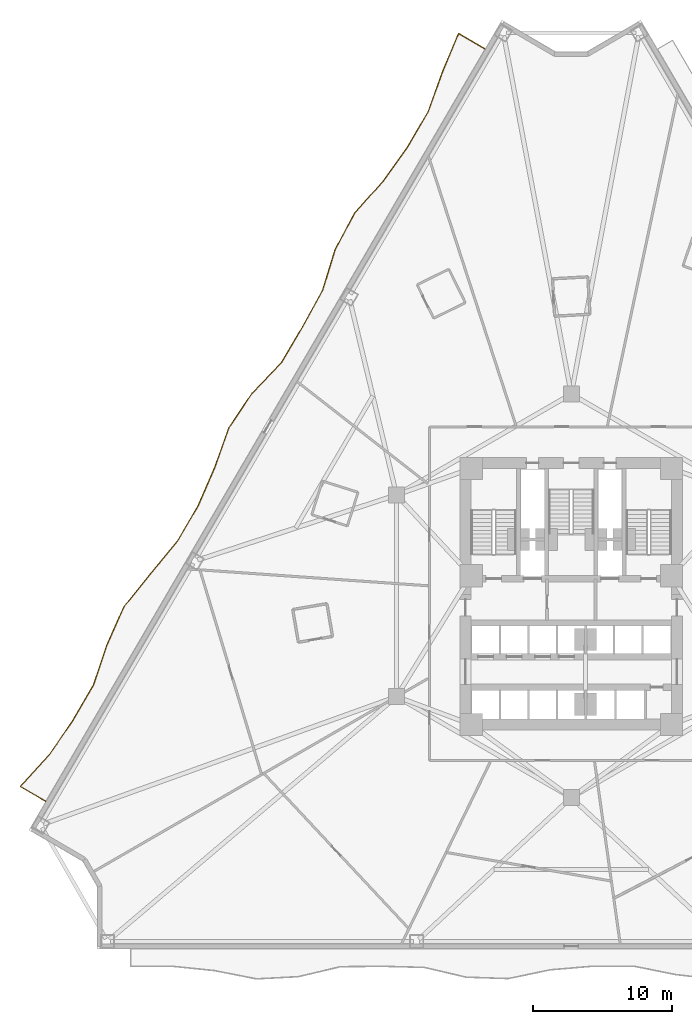
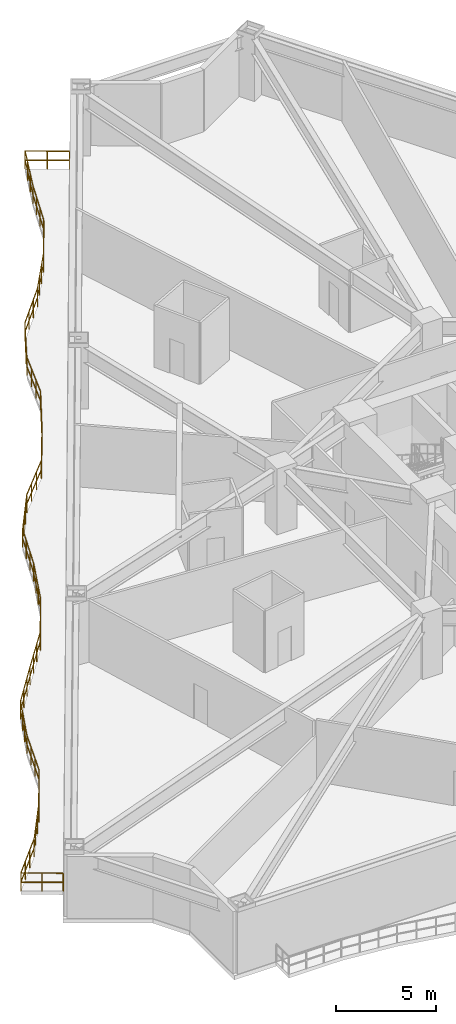
# One storey, part 10 of 12: 1 railing.
"""IFC4 building model written with IfcOpenShell, lengths in metres."""

from ifc_helpers import new_model, si_unit, direction, frame, origin, origin_2d, place, context, subcontext, project, spatial, rectangle, extrude, material, type_object, element, save


model = new_model("IFC4")

# Units and contexts
model_context = context("Model", 3, precision=1e-05, world=origin(), true_north=direction((0.0, 1.0)))
body_context = subcontext(model_context, "Body", "Model", "MODEL_VIEW")
ifc_project = project(units=[si_unit("LENGTHUNIT", "METRE"), si_unit("AREAUNIT", "SQUARE_METRE"), si_unit("VOLUMEUNIT", "CUBIC_METRE"), si_unit("PLANEANGLEUNIT", "RADIAN"), si_unit("MASSUNIT", "GRAM", prefix="KILO")], contexts=[model_context])

# Site, building, storey
site_placement = place(None, origin())
site = spatial("IfcSite", under=ifc_project, at=site_placement, CompositionType="ELEMENT")
building_placement = place(site_placement, origin())
building = spatial("IfcBuilding", under=site, at=building_placement, Name="Apsidion Concourse Tower", CompositionType="ELEMENT")
storey_placement = place(building_placement, frame((0.0, 0.0, 50.39990234375)))
storey = spatial("IfcBuildingStorey", under=building, at=storey_placement, Name="L10", CompositionType="ELEMENT", Elevation=50.39990234375)

# Railing
ifc_material = material(Name="Brushed stainless steel 316", Category="steel")
railing_type = type_object("IfcRailingType", Name="RL-BAL-1120", PredefinedType="BALUSTRADE", material=ifc_material)
railing_placement = place(storey_placement, frame((-37.789306640625, -14.772705078125, 0.0)))
element("IfcRailing", 1, at=railing_placement, inside=storey, type_object=railing_type, Name="L10 Face 1 Rippling Balcony Balustrade", PredefinedType="BALUSTRADE", context=body_context, shape_type="SweptSolid", body=[
    extrude(rectangle(XDim=0.048095703125, YDim=0.048095703125, at=origin_2d()), frame((0.0, 0.0, 1.09619140625), z_axis=(-0.863568954933, 0.50423076074, 0.0), x_axis=(-0.50423076074, -0.863568954933, 0.0)), (0.0, 0.0, 1.0), 2.109619140625),
    extrude(rectangle(XDim=0.048095703125, YDim=0.048095703125, at=origin_2d()), frame((0.0, 0.0, 0.5361328125), z_axis=(-0.863568954933, 0.50423076074, 0.0), x_axis=(-0.50423076074, -0.863568954933, 0.0)), (0.0, 0.0, 1.0), 2.109619140625),
    extrude(rectangle(XDim=0.048095703125, YDim=0.048095703125, at=origin_2d()), frame((-1.82177734375, 1.063720703125, 1.09619140625), z_axis=(0.675724628517, 0.737154140201, 0.0), x_axis=(-0.737154140201, 0.675724628517, 0.0)), (0.0, 0.0, 1.0), 3.05224609375),
    extrude(rectangle(XDim=0.048095703125, YDim=0.048095703125, at=origin_2d()), frame((-1.82177734375, 1.063720703125, 0.5361328125), z_axis=(0.675724628517, 0.737154140201, 0.0), x_axis=(-0.737154140201, 0.675724628517, 0.0)), (0.0, 0.0, 1.0), 3.05224609375),
    extrude(rectangle(XDim=0.048095703125, YDim=0.048095703125, at=origin_2d()), frame((0.24072265625, 3.313720703125, 1.09619140625), z_axis=(0.564458537501, 0.82546142214, 0.0), x_axis=(-0.82546142214, 0.564458537501, 0.0)), (0.0, 0.0, 1.0), 2.990478515625),
    extrude(rectangle(XDim=0.048095703125, YDim=0.048095703125, at=origin_2d()), frame((0.24072265625, 3.313720703125, 0.5361328125), z_axis=(0.564458537501, 0.82546142214, 0.0), x_axis=(-0.82546142214, 0.564458537501, 0.0)), (0.0, 0.0, 1.0), 2.990478515625),
    extrude(rectangle(XDim=0.048095703125, YDim=0.048095703125, at=origin_2d()), frame((1.9287109375, 5.7822265625, 1.09619140625), z_axis=(0.504191602526, 0.863591817899, 0.0), x_axis=(-0.863591817899, 0.504191602526, 0.0)), (0.0, 0.0, 1.0), 2.98291015625),
    extrude(rectangle(XDim=0.048095703125, YDim=0.048095703125, at=origin_2d()), frame((1.9287109375, 5.7822265625, 0.5361328125), z_axis=(0.504191602526, 0.863591817899, 0.0), x_axis=(-0.863591817899, 0.504191602526, 0.0)), (0.0, 0.0, 1.0), 2.98291015625),
    extrude(rectangle(XDim=0.048095703125, YDim=0.048095703125, at=origin_2d()), frame((3.4326171875, 8.358154296875, 1.09619140625), z_axis=(0.319280251734, 0.947660340445, 0.0), x_axis=(-0.947660340445, 0.319280251734, 0.0)), (0.0, 0.0, 1.0), 3.045654296875),
    extrude(rectangle(XDim=0.048095703125, YDim=0.048095703125, at=origin_2d()), frame((3.4326171875, 8.358154296875, 0.5361328125), z_axis=(0.319280251734, 0.947660340445, 0.0), x_axis=(-0.947660340445, 0.319280251734, 0.0)), (0.0, 0.0, 1.0), 3.045654296875),
    extrude(rectangle(XDim=0.048095703125, YDim=0.048095703125, at=origin_2d()), frame((4.405029296875, 11.244384765625, 1.09619140625), z_axis=(0.405979968033, 0.913881975726, 0.0), x_axis=(-0.913881975726, 0.405979968033, 0.0)), (0.0, 0.0, 1.0), 3.00146484375),
    extrude(rectangle(XDim=0.048095703125, YDim=0.048095703125, at=origin_2d()), frame((4.405029296875, 11.244384765625, 0.5361328125), z_axis=(0.405979968033, 0.913881975726, 0.0), x_axis=(-0.913881975726, 0.405979968033, 0.0)), (0.0, 0.0, 1.0), 3.00146484375),
    extrude(rectangle(XDim=0.048095703125, YDim=0.048095703125, at=origin_2d()), frame((5.62353515625, 13.9873046875, 1.09619140625), z_axis=(0.629693782108, 0.77684344676, 0.0), x_axis=(-0.77684344676, 0.629693782108, 0.0)), (0.0, 0.0, 1.0), 3.01806640625),
    extrude(rectangle(XDim=0.048095703125, YDim=0.048095703125, at=origin_2d()), frame((5.62353515625, 13.9873046875, 0.5361328125), z_axis=(0.629693782108, 0.77684344676, 0.0), x_axis=(-0.77684344676, 0.629693782108, 0.0)), (0.0, 0.0, 1.0), 3.01806640625),
    extrude(rectangle(XDim=0.048095703125, YDim=0.048095703125, at=origin_2d()), frame((7.52392578125, 16.331787109375, 1.09619140625), z_axis=(0.636833434302, 0.771001411772, 0.0), x_axis=(-0.771001411772, 0.636833434302, 0.0)), (0.0, 0.0, 1.0), 3.0224609375),
    extrude(rectangle(XDim=0.048095703125, YDim=0.048095703125, at=origin_2d()), frame((7.52392578125, 16.331787109375, 0.5361328125), z_axis=(0.636833434302, 0.771001411772, 0.0), x_axis=(-0.771001411772, 0.636833434302, 0.0)), (0.0, 0.0, 1.0), 3.0224609375),
    extrude(rectangle(XDim=0.048095703125, YDim=0.048095703125, at=origin_2d()), frame((9.44873046875, 18.662109375, 1.09619140625), z_axis=(0.504191602526, 0.863591817899, 0.0), x_axis=(-0.863591817899, 0.504191602526, 0.0)), (0.0, 0.0, 1.0), 2.98291015625),
    extrude(rectangle(XDim=0.048095703125, YDim=0.048095703125, at=origin_2d()), frame((9.44873046875, 18.662109375, 0.5361328125), z_axis=(0.504191602526, 0.863591817899, 0.0), x_axis=(-0.863591817899, 0.504191602526, 0.0)), (0.0, 0.0, 1.0), 2.98291015625),
    extrude(rectangle(XDim=0.048095703125, YDim=0.048095703125, at=origin_2d()), frame((10.95263671875, 21.238037109375, 1.09619140625), z_axis=(0.399483842385, 0.916740235658, 0.0), x_axis=(-0.916740235658, 0.399483842385, 0.0)), (0.0, 0.0, 1.0), 3.003662109375),
    extrude(rectangle(XDim=0.048095703125, YDim=0.048095703125, at=origin_2d()), frame((10.95263671875, 21.238037109375, 0.5361328125), z_axis=(0.399483842385, 0.916740235658, 0.0), x_axis=(-0.916740235658, 0.399483842385, 0.0)), (0.0, 0.0, 1.0), 3.003662109375),
    extrude(rectangle(XDim=0.048095703125, YDim=0.048095703125, at=origin_2d()), frame((12.152587890625, 23.99169921875, 1.09619140625), z_axis=(0.334695525666, 0.942326326226, 0.0), x_axis=(-0.942326326226, 0.334695525666, 0.0)), (0.0, 0.0, 1.0), 3.035888671875),
    extrude(rectangle(XDim=0.048095703125, YDim=0.048095703125, at=origin_2d()), frame((12.152587890625, 23.99169921875, 0.5361328125), z_axis=(0.334695525666, 0.942326326226, 0.0), x_axis=(-0.942326326226, 0.334695525666, 0.0)), (0.0, 0.0, 1.0), 3.035888671875),
    extrude(rectangle(XDim=0.048095703125, YDim=0.048095703125, at=origin_2d()), frame((13.168701171875, 26.8525390625, 1.09619140625), z_axis=(0.557956857675, 0.829869956664, 0.0), x_axis=(-0.829869956664, 0.557956857675, 0.0)), (0.0, 0.0, 1.0), 2.989013671875),
    extrude(rectangle(XDim=0.048095703125, YDim=0.048095703125, at=origin_2d()), frame((13.168701171875, 26.8525390625, 0.5361328125), z_axis=(0.557956857675, 0.829869956664, 0.0), x_axis=(-0.829869956664, 0.557956857675, 0.0)), (0.0, 0.0, 1.0), 2.989013671875),
    extrude(rectangle(XDim=0.048095703125, YDim=0.048095703125, at=origin_2d()), frame((14.83642578125, 29.3330078125, 1.09619140625), z_axis=(0.691005713833, 0.722849295116, 0.0), x_axis=(-0.722849295116, 0.691005713833, 0.0)), (0.0, 0.0, 1.0), 3.066650390625),
    extrude(rectangle(XDim=0.048095703125, YDim=0.048095703125, at=origin_2d()), frame((14.83642578125, 29.3330078125, 0.5361328125), z_axis=(0.691005713833, 0.722849295116, 0.0), x_axis=(-0.722849295116, 0.691005713833, 0.0)), (0.0, 0.0, 1.0), 3.066650390625),
    extrude(rectangle(XDim=0.048095703125, YDim=0.048095703125, at=origin_2d()), frame((16.95556640625, 31.5498046875, 1.09619140625), z_axis=(0.508682433917, 0.860954227253, 0.0), x_axis=(-0.860954227253, 0.508682433917, 0.0)), (0.0, 0.0, 1.0), 2.98291015625),
    extrude(rectangle(XDim=0.048095703125, YDim=0.048095703125, at=origin_2d()), frame((16.95556640625, 31.5498046875, 0.5361328125), z_axis=(0.508682433917, 0.860954227253, 0.0), x_axis=(-0.860954227253, 0.508682433917, 0.0)), (0.0, 0.0, 1.0), 2.98291015625),
    extrude(rectangle(XDim=0.048095703125, YDim=0.048095703125, at=origin_2d()), frame((18.472900390625, 34.117919921875, 1.09619140625), z_axis=(0.480925946407, 0.87676121839, 0.0), x_axis=(-0.87676121839, 0.480925946407, 0.0)), (0.0, 0.0, 1.0), 2.98388671875),
    extrude(rectangle(XDim=0.048095703125, YDim=0.048095703125, at=origin_2d()), frame((18.472900390625, 34.117919921875, 0.5361328125), z_axis=(0.480925946407, 0.87676121839, 0.0), x_axis=(-0.87676121839, 0.480925946407, 0.0)), (0.0, 0.0, 1.0), 2.98388671875),
    extrude(rectangle(XDim=0.048095703125, YDim=0.048095703125, at=origin_2d()), frame((19.907958984375, 36.734130859375, 1.09619140625), z_axis=(0.294220244214, 0.955737645954, 0.0), x_axis=(-0.955737645954, 0.294220244214, 0.0)), (0.0, 0.0, 1.0), 3.0634765625),
    extrude(rectangle(XDim=0.048095703125, YDim=0.048095703125, at=origin_2d()), frame((19.907958984375, 36.734130859375, 0.5361328125), z_axis=(0.294220244214, 0.955737645954, 0.0), x_axis=(-0.955737645954, 0.294220244214, 0.0)), (0.0, 0.0, 1.0), 3.0634765625),
    extrude(rectangle(XDim=0.048095703125, YDim=0.048095703125, at=origin_2d()), frame((20.809326171875, 39.662109375, 1.09619140625), z_axis=(0.470808980732, 0.882235174804, 0.0), x_axis=(-0.882235174804, 0.470808980732, 0.0)), (0.0, 0.0, 1.0), 2.98486328125),
    extrude(rectangle(XDim=0.048095703125, YDim=0.048095703125, at=origin_2d()), frame((20.809326171875, 39.662109375, 0.5361328125), z_axis=(0.470808980732, 0.882235174804, 0.0), x_axis=(-0.882235174804, 0.470808980732, 0.0)), (0.0, 0.0, 1.0), 2.98486328125),
    extrude(rectangle(XDim=0.048095703125, YDim=0.048095703125, at=origin_2d()), frame((22.214599609375, 42.29541015625, 1.09619140625), z_axis=(0.666848769168, 0.745193075021, 0.0), x_axis=(-0.745193075021, 0.666848769168, 0.0)), (0.0, 0.0, 1.0), 3.044677734375),
    extrude(rectangle(XDim=0.048095703125, YDim=0.048095703125, at=origin_2d()), frame((22.214599609375, 42.29541015625, 0.5361328125), z_axis=(0.666848769168, 0.745193075021, 0.0), x_axis=(-0.745193075021, 0.666848769168, 0.0)), (0.0, 0.0, 1.0), 3.044677734375),
    extrude(rectangle(XDim=0.048095703125, YDim=0.048095703125, at=origin_2d()), frame((24.244873046875, 44.564208984375, 1.09619140625), z_axis=(0.583394259113, 0.812189102632, 0.0), x_axis=(-0.812189102632, 0.583394259113, 0.0)), (0.0, 0.0, 1.0), 2.996337890625),
    extrude(rectangle(XDim=0.048095703125, YDim=0.048095703125, at=origin_2d()), frame((24.244873046875, 44.564208984375, 0.5361328125), z_axis=(0.583394259113, 0.812189102632, 0.0), x_axis=(-0.812189102632, 0.583394259113, 0.0)), (0.0, 0.0, 1.0), 2.996337890625),
    extrude(rectangle(XDim=0.048095703125, YDim=0.048095703125, at=origin_2d()), frame((25.992919921875, 46.997802734375, 1.09619140625), z_axis=(0.504252641195, 0.863556178745, 0.0), x_axis=(-0.863556178745, 0.504252641195, 0.0)), (0.0, 0.0, 1.0), 2.98291015625),
    extrude(rectangle(XDim=0.048095703125, YDim=0.048095703125, at=origin_2d()), frame((25.992919921875, 46.997802734375, 0.5361328125), z_axis=(0.504252641195, 0.863556178745, 0.0), x_axis=(-0.863556178745, 0.504252641195, 0.0)), (0.0, 0.0, 1.0), 2.98291015625),
    extrude(rectangle(XDim=0.048095703125, YDim=0.048095703125, at=origin_2d()), frame((27.4970703125, 49.57373046875, 1.09619140625), z_axis=(0.338400281737, 0.941002257872, 0.0), x_axis=(-0.941002257872, 0.338400281737, 0.0)), (0.0, 0.0, 1.0), 3.03369140625),
    extrude(rectangle(XDim=0.048095703125, YDim=0.048095703125, at=origin_2d()), frame((27.4970703125, 49.57373046875, 0.5361328125), z_axis=(0.338400281737, 0.941002257872, 0.0), x_axis=(-0.941002257872, 0.338400281737, 0.0)), (0.0, 0.0, 1.0), 3.03369140625),
    extrude(rectangle(XDim=0.048095703125, YDim=0.048095703125, at=origin_2d()), frame((28.523681640625, 52.428466796875, 1.09619140625), z_axis=(0.3857672093, 0.922596152295, 0.0), x_axis=(-0.922596152295, 0.3857672093, 0.0)), (0.0, 0.0, 1.0), 3.00927734375),
    extrude(rectangle(XDim=0.048095703125, YDim=0.048095703125, at=origin_2d()), frame((28.523681640625, 52.428466796875, 0.5361328125), z_axis=(0.3857672093, 0.922596152295, 0.0), x_axis=(-0.922596152295, 0.3857672093, 0.0)), (0.0, 0.0, 1.0), 3.00927734375),
    extrude(rectangle(XDim=0.048095703125, YDim=0.048095703125, at=origin_2d()), frame((29.6845703125, 55.204833984375, 1.09619140625), z_axis=(0.863561482114, -0.504243558818, 0.0), x_axis=(0.504243558818, 0.863561482114, 0.0)), (0.0, 0.0, 1.0), 2.2001953125),
    extrude(rectangle(XDim=0.048095703125, YDim=0.048095703125, at=origin_2d()), frame((29.6845703125, 55.204833984375, 0.5361328125), z_axis=(0.863561482114, -0.504243558818, 0.0), x_axis=(0.504243558818, 0.863561482114, 0.0)), (0.0, 0.0, 1.0), 2.2001953125),
    extrude(rectangle(XDim=0.0419921875, YDim=0.0419921875, at=origin_2d()), origin(), (0.0, 0.0, 1.0), 1.072021484375),
    extrude(rectangle(XDim=0.0419921875, YDim=0.0419921875, at=origin_2d()), frame((-0.910888671875, 0.53173828125, 0.0)), (0.0, 0.0, 1.0), 1.072021484375),
    extrude(rectangle(XDim=0.0419921875, YDim=0.0419921875, at=origin_2d()), frame((-1.82177734375, 1.063720703125, 0.0)), (0.0, 0.0, 1.0), 1.072021484375),
    extrude(rectangle(XDim=0.0419921875, YDim=0.0419921875, at=origin_2d()), frame((-1.13427734375, 1.813720703125, 0.0)), (0.0, 0.0, 1.0), 1.072021484375),
    extrude(rectangle(XDim=0.0419921875, YDim=0.0419921875, at=origin_2d()), frame((-0.44677734375, 2.563720703125, 0.0)), (0.0, 0.0, 1.0), 1.072021484375),
    extrude(rectangle(XDim=0.0419921875, YDim=0.0419921875, at=origin_2d()), frame((0.24072265625, 3.313720703125, 0.0)), (0.0, 0.0, 1.0), 1.072021484375),
    extrude(rectangle(XDim=0.0419921875, YDim=0.0419921875, at=origin_2d()), frame((0.803466796875, 4.136474609375, 0.0)), (0.0, 0.0, 1.0), 1.072021484375),
    extrude(rectangle(XDim=0.0419921875, YDim=0.0419921875, at=origin_2d()), frame((1.365966796875, 4.95947265625, 0.0)), (0.0, 0.0, 1.0), 1.072021484375),
    extrude(rectangle(XDim=0.0419921875, YDim=0.0419921875, at=origin_2d()), frame((1.9287109375, 5.7822265625, 0.0)), (0.0, 0.0, 1.0), 1.072021484375),
    extrude(rectangle(XDim=0.0419921875, YDim=0.0419921875, at=origin_2d()), frame((2.429931640625, 6.640869140625, 0.0)), (0.0, 0.0, 1.0), 1.072021484375),
    extrude(rectangle(XDim=0.0419921875, YDim=0.0419921875, at=origin_2d()), frame((2.931396484375, 7.49951171875, 0.0)), (0.0, 0.0, 1.0), 1.072021484375),
    extrude(rectangle(XDim=0.0419921875, YDim=0.0419921875, at=origin_2d()), frame((3.4326171875, 8.358154296875, 0.0)), (0.0, 0.0, 1.0), 1.072021484375),
    extrude(rectangle(XDim=0.0419921875, YDim=0.0419921875, at=origin_2d()), frame((3.7568359375, 9.3203125, 0.0)), (0.0, 0.0, 1.0), 1.072021484375),
    extrude(rectangle(XDim=0.0419921875, YDim=0.0419921875, at=origin_2d()), frame((4.080810546875, 10.2822265625, 0.0)), (0.0, 0.0, 1.0), 1.072021484375),
    extrude(rectangle(XDim=0.0419921875, YDim=0.0419921875, at=origin_2d()), frame((4.405029296875, 11.244384765625, 0.0)), (0.0, 0.0, 1.0), 1.072021484375),
    extrude(rectangle(XDim=0.0419921875, YDim=0.0419921875, at=origin_2d()), frame((4.811279296875, 12.15869140625, 0.0)), (0.0, 0.0, 1.0), 1.072021484375),
    extrude(rectangle(XDim=0.0419921875, YDim=0.0419921875, at=origin_2d()), frame((5.21728515625, 13.072998046875, 0.0)), (0.0, 0.0, 1.0), 1.072021484375),
    extrude(rectangle(XDim=0.0419921875, YDim=0.0419921875, at=origin_2d()), frame((5.62353515625, 13.9873046875, 0.0)), (0.0, 0.0, 1.0), 1.072021484375),
    extrude(rectangle(XDim=0.0419921875, YDim=0.0419921875, at=origin_2d()), frame((6.257080078125, 14.768798828125, 0.0)), (0.0, 0.0, 1.0), 1.072021484375),
    extrude(rectangle(XDim=0.0419921875, YDim=0.0419921875, at=origin_2d()), frame((6.890380859375, 15.55029296875, 0.0)), (0.0, 0.0, 1.0), 1.072021484375),
    extrude(rectangle(XDim=0.0419921875, YDim=0.0419921875, at=origin_2d()), frame((7.52392578125, 16.331787109375, 0.0)), (0.0, 0.0, 1.0), 1.072021484375),
    extrude(rectangle(XDim=0.0419921875, YDim=0.0419921875, at=origin_2d()), frame((8.16552734375, 17.108642578125, 0.0)), (0.0, 0.0, 1.0), 1.072021484375),
    extrude(rectangle(XDim=0.0419921875, YDim=0.0419921875, at=origin_2d()), frame((8.80712890625, 17.88525390625, 0.0)), (0.0, 0.0, 1.0), 1.072021484375),
    extrude(rectangle(XDim=0.0419921875, YDim=0.0419921875, at=origin_2d()), frame((9.44873046875, 18.662109375, 0.0)), (0.0, 0.0, 1.0), 1.072021484375),
    extrude(rectangle(XDim=0.0419921875, YDim=0.0419921875, at=origin_2d()), frame((9.949951171875, 19.520751953125, 0.0)), (0.0, 0.0, 1.0), 1.072021484375),
    extrude(rectangle(XDim=0.0419921875, YDim=0.0419921875, at=origin_2d()), frame((10.451416015625, 20.37939453125, 0.0)), (0.0, 0.0, 1.0), 1.072021484375),
    extrude(rectangle(XDim=0.0419921875, YDim=0.0419921875, at=origin_2d()), frame((10.95263671875, 21.238037109375, 0.0)), (0.0, 0.0, 1.0), 1.072021484375),
    extrude(rectangle(XDim=0.0419921875, YDim=0.0419921875, at=origin_2d()), frame((11.3525390625, 22.156005859375, 0.0)), (0.0, 0.0, 1.0), 1.072021484375),
    extrude(rectangle(XDim=0.0419921875, YDim=0.0419921875, at=origin_2d()), frame((11.752685546875, 23.07373046875, 0.0)), (0.0, 0.0, 1.0), 1.072021484375),
    extrude(rectangle(XDim=0.0419921875, YDim=0.0419921875, at=origin_2d()), frame((12.152587890625, 23.99169921875, 0.0)), (0.0, 0.0, 1.0), 1.072021484375),
    extrude(rectangle(XDim=0.0419921875, YDim=0.0419921875, at=origin_2d()), frame((12.4912109375, 24.9453125, 0.0)), (0.0, 0.0, 1.0), 1.072021484375),
    extrude(rectangle(XDim=0.0419921875, YDim=0.0419921875, at=origin_2d()), frame((12.830078125, 25.89892578125, 0.0)), (0.0, 0.0, 1.0), 1.072021484375),
    extrude(rectangle(XDim=0.0419921875, YDim=0.0419921875, at=origin_2d()), frame((13.168701171875, 26.8525390625, 0.0)), (0.0, 0.0, 1.0), 1.072021484375),
    extrude(rectangle(XDim=0.0419921875, YDim=0.0419921875, at=origin_2d()), frame((13.724609375, 27.679443359375, 0.0)), (0.0, 0.0, 1.0), 1.072021484375),
    extrude(rectangle(XDim=0.0419921875, YDim=0.0419921875, at=origin_2d()), frame((14.280517578125, 28.506103515625, 0.0)), (0.0, 0.0, 1.0), 1.072021484375),
    extrude(rectangle(XDim=0.0419921875, YDim=0.0419921875, at=origin_2d()), frame((14.83642578125, 29.3330078125, 0.0)), (0.0, 0.0, 1.0), 1.072021484375),
    extrude(rectangle(XDim=0.0419921875, YDim=0.0419921875, at=origin_2d()), frame((15.542724609375, 30.072021484375, 0.0)), (0.0, 0.0, 1.0), 1.072021484375),
    extrude(rectangle(XDim=0.0419921875, YDim=0.0419921875, at=origin_2d()), frame((16.249267578125, 30.810791015625, 0.0)), (0.0, 0.0, 1.0), 1.072021484375),
    extrude(rectangle(XDim=0.0419921875, YDim=0.0419921875, at=origin_2d()), frame((16.95556640625, 31.5498046875, 0.0)), (0.0, 0.0, 1.0), 1.072021484375),
    extrude(rectangle(XDim=0.0419921875, YDim=0.0419921875, at=origin_2d()), frame((17.46142578125, 32.40576171875, 0.0)), (0.0, 0.0, 1.0), 1.072021484375),
    extrude(rectangle(XDim=0.0419921875, YDim=0.0419921875, at=origin_2d()), frame((17.967041015625, 33.261962890625, 0.0)), (0.0, 0.0, 1.0), 1.072021484375),
    extrude(rectangle(XDim=0.0419921875, YDim=0.0419921875, at=origin_2d()), frame((18.472900390625, 34.117919921875, 0.0)), (0.0, 0.0, 1.0), 1.072021484375),
    extrude(rectangle(XDim=0.0419921875, YDim=0.0419921875, at=origin_2d()), frame((18.951171875, 34.989990234375, 0.0)), (0.0, 0.0, 1.0), 1.072021484375),
    extrude(rectangle(XDim=0.0419921875, YDim=0.0419921875, at=origin_2d()), frame((19.4296875, 35.862060546875, 0.0)), (0.0, 0.0, 1.0), 1.072021484375),
    extrude(rectangle(XDim=0.0419921875, YDim=0.0419921875, at=origin_2d()), frame((19.907958984375, 36.734130859375, 0.0)), (0.0, 0.0, 1.0), 1.072021484375),
    extrude(rectangle(XDim=0.0419921875, YDim=0.0419921875, at=origin_2d()), frame((20.20849609375, 37.710205078125, 0.0)), (0.0, 0.0, 1.0), 1.072021484375),
    extrude(rectangle(XDim=0.0419921875, YDim=0.0419921875, at=origin_2d()), frame((20.5087890625, 38.68603515625, 0.0)), (0.0, 0.0, 1.0), 1.072021484375),
    extrude(rectangle(XDim=0.0419921875, YDim=0.0419921875, at=origin_2d()), frame((20.809326171875, 39.662109375, 0.0)), (0.0, 0.0, 1.0), 1.072021484375),
    extrude(rectangle(XDim=0.0419921875, YDim=0.0419921875, at=origin_2d()), frame((21.27783203125, 40.539794921875, 0.0)), (0.0, 0.0, 1.0), 1.072021484375),
    extrude(rectangle(XDim=0.0419921875, YDim=0.0419921875, at=origin_2d()), frame((21.74609375, 41.417724609375, 0.0)), (0.0, 0.0, 1.0), 1.072021484375),
    extrude(rectangle(XDim=0.0419921875, YDim=0.0419921875, at=origin_2d()), frame((22.214599609375, 42.29541015625, 0.0)), (0.0, 0.0, 1.0), 1.072021484375),
    extrude(rectangle(XDim=0.0419921875, YDim=0.0419921875, at=origin_2d()), frame((22.891357421875, 43.0517578125, 0.0)), (0.0, 0.0, 1.0), 1.072021484375),
    extrude(rectangle(XDim=0.0419921875, YDim=0.0419921875, at=origin_2d()), frame((23.568115234375, 43.807861328125, 0.0)), (0.0, 0.0, 1.0), 1.072021484375),
    extrude(rectangle(XDim=0.0419921875, YDim=0.0419921875, at=origin_2d()), frame((24.244873046875, 44.564208984375, 0.0)), (0.0, 0.0, 1.0), 1.072021484375),
    extrude(rectangle(XDim=0.0419921875, YDim=0.0419921875, at=origin_2d()), frame((24.82763671875, 45.37548828125, 0.0)), (0.0, 0.0, 1.0), 1.072021484375),
    extrude(rectangle(XDim=0.0419921875, YDim=0.0419921875, at=origin_2d()), frame((25.41015625, 46.1865234375, 0.0)), (0.0, 0.0, 1.0), 1.072021484375),
    extrude(rectangle(XDim=0.0419921875, YDim=0.0419921875, at=origin_2d()), frame((25.992919921875, 46.997802734375, 0.0)), (0.0, 0.0, 1.0), 1.072021484375),
    extrude(rectangle(XDim=0.0419921875, YDim=0.0419921875, at=origin_2d()), frame((26.494384765625, 47.8564453125, 0.0)), (0.0, 0.0, 1.0), 1.072021484375),
    extrude(rectangle(XDim=0.0419921875, YDim=0.0419921875, at=origin_2d()), frame((26.99560546875, 48.715087890625, 0.0)), (0.0, 0.0, 1.0), 1.072021484375),
    extrude(rectangle(XDim=0.0419921875, YDim=0.0419921875, at=origin_2d()), frame((27.4970703125, 49.57373046875, 0.0)), (0.0, 0.0, 1.0), 1.072021484375),
    extrude(rectangle(XDim=0.0419921875, YDim=0.0419921875, at=origin_2d()), frame((27.83935546875, 50.525390625, 0.0)), (0.0, 0.0, 1.0), 1.072021484375),
    extrude(rectangle(XDim=0.0419921875, YDim=0.0419921875, at=origin_2d()), frame((28.181396484375, 51.476806640625, 0.0)), (0.0, 0.0, 1.0), 1.072021484375),
    extrude(rectangle(XDim=0.0419921875, YDim=0.0419921875, at=origin_2d()), frame((28.523681640625, 52.428466796875, 0.0)), (0.0, 0.0, 1.0), 1.072021484375),
    extrude(rectangle(XDim=0.0419921875, YDim=0.0419921875, at=origin_2d()), frame((28.91064453125, 53.35400390625, 0.0)), (0.0, 0.0, 1.0), 1.072021484375),
    extrude(rectangle(XDim=0.0419921875, YDim=0.0419921875, at=origin_2d()), frame((29.297607421875, 54.279296875, 0.0)), (0.0, 0.0, 1.0), 1.072021484375),
    extrude(rectangle(XDim=0.0419921875, YDim=0.0419921875, at=origin_2d()), frame((29.6845703125, 55.204833984375, 0.0)), (0.0, 0.0, 1.0), 1.072021484375),
    extrude(rectangle(XDim=0.0419921875, YDim=0.0419921875, at=origin_2d()), frame((30.634521484375, 54.650146484375, 0.0)), (0.0, 0.0, 1.0), 1.072021484375),
    extrude(rectangle(XDim=0.0419921875, YDim=0.0419921875, at=origin_2d()), frame((31.58447265625, 54.095458984375, 0.0)), (0.0, 0.0, 1.0), 1.072021484375),
])

save(model, "model.ifc")
